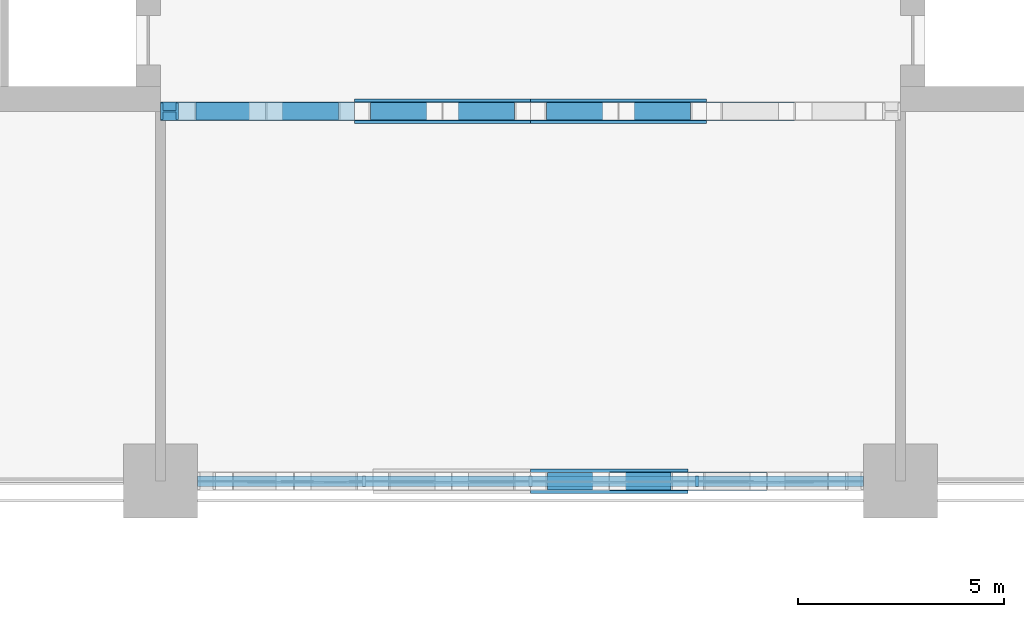
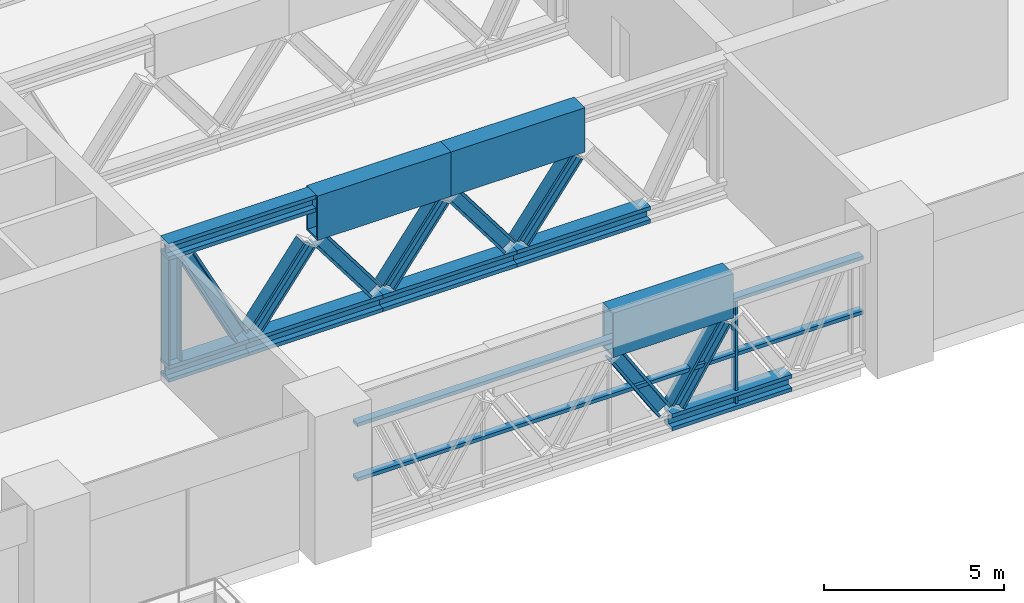
# One storey, part 3 of 35: 21 members, 1 element without a shape of its own.
"""IFC4 building model written with IfcOpenShell, lengths in metres."""

from ifc_helpers import new_model, si_unit, direction, frame, origin, origin_2d, place, context, subcontext, project, spatial, rectangle, hollow_rectangle, i_section, extrude, material, material_profile, profile_set, type_object, element, aggregate, save


model = new_model("IFC4")

# Units and contexts
model_context = context("Model", 3, precision=1e-05, world=origin(), true_north=direction((0.0, 1.0)))
body_context = subcontext(model_context, "Body", "Model", "MODEL_VIEW")
ifc_project = project(units=[si_unit("LENGTHUNIT", "METRE"), si_unit("AREAUNIT", "SQUARE_METRE"), si_unit("VOLUMEUNIT", "CUBIC_METRE"), si_unit("PLANEANGLEUNIT", "RADIAN"), si_unit("MASSUNIT", "GRAM", prefix="KILO")], contexts=[model_context])

# Site, building, storey
site_placement = place(None, origin())
site = spatial("IfcSite", under=ifc_project, at=site_placement, CompositionType="ELEMENT")
building_placement = place(site_placement, origin())
building = spatial("IfcBuilding", under=site, at=building_placement, Name="Tessera Arch", CompositionType="ELEMENT")
storey_placement = place(building_placement, frame((0.0, 0.0, 26.0)))
storey = spatial("IfcBuildingStorey", under=building, at=storey_placement, Name="L04", CompositionType="ELEMENT", Elevation=26.0)

# Curtain wall, members
ifc_material_1 = material(Name="CW4 curtain wall")
curtain_wall_type = type_object("IfcCurtainWallType", Name="CW4 curtain wall", PredefinedType="NOTDEFINED", material=ifc_material_1)
curtain_wall_placement = place(storey_placement, origin())
curtain_wall = element("IfcCurtainWall", 1, at=curtain_wall_placement, inside=storey, type_object=curtain_wall_type, Name="CW4 curtain wall S0.0/1 L04", PredefinedType="NOTDEFINED")
ifc_material_2 = material(Name="Anodised aluminium pale metal", Category="aluminium")
ifc_material_profile_1 = material_profile(ifc_material_2, rectangle(XDim=0.25, YDim=0.080078125, at=origin_2d()), Name="AL 80x250")
ifc_profile_set_1 = profile_set([ifc_material_profile_1], Name="Anodised aluminium pale metal")
member_type_1 = type_object("IfcMemberType", Name="CW4 mullion", PredefinedType="MULLION", material=ifc_profile_set_1)
member_1_placement = place(storey_placement, frame((31.050048828125, 0.0, 0.0), z_axis=(0.0, 0.0, 1.0), x_axis=(0.0, 1.0, 0.0)))
member_1 = element("IfcMember", 2, at=member_1_placement, type_object=member_type_1, Name="CW4 mullion S0.0/1 3", PredefinedType="MULLION", context=body_context, shape_type="SweptSolid", body=[
    extrude(rectangle(XDim=0.25, YDim=0.080078125, at=origin_2d()), origin(), (0.0, 0.0, 1.0), 3.580078125),
])
ifc_material_3 = material(Name="Anodised aluminium pale metal", Category="aluminium")
ifc_material_profile_2 = material_profile(ifc_material_3, rectangle(XDim=0.25, YDim=0.1201171875, at=origin_2d()), Name="AL 250x120")
ifc_profile_set_2 = profile_set([ifc_material_profile_2], Name="Anodised aluminium pale metal")
member_type_2 = type_object("IfcMemberType", Name="CW4 transom", PredefinedType="USERDEFINED", material=ifc_profile_set_2)
member_2_placement = place(storey_placement, frame((18.89990234375, 0.0, 3.639892578125), z_axis=(1.0, 0.0, 0.0), x_axis=(0.0, 1.0, 0.0)))
member_2 = element("IfcMember", 3, at=member_2_placement, type_object=member_type_2, Name="CW4 transom S0.0/1 1.1", ObjectType="TRANSOM", PredefinedType="USERDEFINED", context=body_context, shape_type="SweptSolid", body=[
    extrude(rectangle(XDim=0.25, YDim=0.1201171875, at=origin_2d()), origin(), (0.0, 0.0, 1.0), 16.2001953125),
])
member_3_placement = place(storey_placement, frame((18.89990234375, 0.0, 1.7900390625), z_axis=(1.0, 0.0, 0.0), x_axis=(0.0, 1.0, 0.0)))
member_3 = element("IfcMember", 4, at=member_3_placement, type_object=member_type_2, Name="CW4 transom S0.0/1 2.1", ObjectType="TRANSOM", PredefinedType="USERDEFINED", context=body_context, shape_type="SweptSolid", body=[
    extrude(rectangle(XDim=0.25, YDim=0.1201171875, at=origin_2d()), origin(), (0.0, 0.0, 1.0), 16.2001953125),
])
aggregate(curtain_wall, [member_1, member_2, member_3])

# Members
ifc_material_4 = material(Name="Steel A572 Gr50", Category="steel")
ifc_material_profile_3 = material_profile(ifc_material_4, hollow_rectangle(XDim=0.60009765625, YDim=1.5, WallThickness=0.06005859375, at=origin_2d()), Name="BOX 600x1500x60")
ifc_profile_set_3 = profile_set([ifc_material_profile_3], Name="Steel A572 Gr50")
member_type_3 = type_object("IfcMemberType", Name="Transfer truss node girder BOX 600x1500x60", PredefinedType="CHORD", material=ifc_profile_set_3)
member_4_placement = place(storey_placement, frame((27.0, 0.0, 3.949951171875), z_axis=(1.0, 0.0, 0.0), x_axis=(0.0, 1.0, 0.0)))
element("IfcMember", 5, at=member_4_placement, inside=storey, type_object=member_type_3, Name="Transfer truss node girder 3", PredefinedType="CHORD", context=body_context, shape_type="SweptSolid", body=[
    extrude(hollow_rectangle(XDim=0.60009765625, YDim=1.5, WallThickness=0.06005859375, at=origin_2d()), origin(), (0.0, 0.0, 1.0), 3.832763671875),
])
for number, where, z_axis, x_axis, name in (
    (6, (22.71728515625, 9.0, 3.949951171875), (1.0, 0.0, 0.0), (0.0, 1.0, 0.0), "Transfer truss node girder 2"),
    (7, (27.0, 9.0, 3.949951171875), (1.0, 0.0, 0.0), (0.0, 1.0, 0.0), "Transfer truss node girder 3"),
):
    element("IfcMember", number, at=place(storey_placement, frame(where, z_axis=z_axis, x_axis=x_axis)), inside=storey, type_object=member_type_3, Name=name, PredefinedType="CHORD", context=body_context, shape_type="SweptSolid", body=[
        extrude(hollow_rectangle(XDim=0.60009765625, YDim=1.5, WallThickness=0.06005859375, at=origin_2d()), origin(), (0.0, 0.0, 1.0), 4.28271484375),
    ])
ifc_material_5 = material(Name="Steel A992 Gr50", Category="steel")
ifc_material_profile_4 = material_profile(ifc_material_5, i_section(OverallWidth=0.45458984375, OverallDepth=0.56884765625, WebThickness=0.077880859375, FlangeThickness=0.124755859375, at=origin_2d()), Name="W14x730")
ifc_profile_set_4 = profile_set([ifc_material_profile_4], Name="Steel A992 Gr50")
member_type_4 = type_object("IfcMemberType", Name="Truss chord W14x730", PredefinedType="CHORD", material=ifc_profile_set_4)
member_5_placement = place(storey_placement, frame((28.91650390625, 0.0, 0.284423828125), z_axis=(1.0, 0.0, 0.0), x_axis=(0.0, 1.0, 0.0)))
element("IfcMember", 8, at=member_5_placement, inside=storey, type_object=member_type_4, Name="Transfer truss bottom chord 4", PredefinedType="CHORD", context=body_context, shape_type="SweptSolid", body=[
    extrude(i_section(OverallWidth=0.45458984375, OverallDepth=0.56884765625, WebThickness=0.077880859375, FlangeThickness=0.124755859375, at=origin_2d()), origin(), (0.0, 0.0, 1.0), 3.832763671875),
])
member_6_placement = place(storey_placement, frame((18.0, 9.0, 4.41552734375), z_axis=(1.0, 0.0, 0.0), x_axis=(0.0, 1.0, 0.0)))
element("IfcMember", 9, at=member_6_placement, inside=storey, type_object=member_type_4, Name="Transfer truss top chord 1", PredefinedType="CHORD", context=body_context, shape_type="SweptSolid", body=[
    extrude(i_section(OverallWidth=0.45458984375, OverallDepth=0.56884765625, WebThickness=0.077880859375, FlangeThickness=0.124755859375, at=origin_2d()), origin(), (0.0, 0.0, 1.0), 4.71728515625),
])
member_7_placement = place(storey_placement, frame((18.0, 9.0, 0.284423828125), z_axis=(1.0, 0.0, 0.0), x_axis=(0.0, 1.0, 0.0)))
element("IfcMember", 10, at=member_7_placement, inside=storey, type_object=member_type_4, Name="Transfer truss bottom chord 1", PredefinedType="CHORD", context=body_context, shape_type="SweptSolid", body=[
    extrude(i_section(OverallWidth=0.45458984375, OverallDepth=0.56884765625, WebThickness=0.077880859375, FlangeThickness=0.124755859375, at=origin_2d()), origin(), (0.0, 0.0, 1.0), 2.57568359375),
])
member_8_placement = place(storey_placement, frame((20.57568359375, 9.0, 0.284423828125), z_axis=(1.0, 0.0, 0.0), x_axis=(0.0, 1.0, 0.0)))
element("IfcMember", 11, at=member_8_placement, inside=storey, type_object=member_type_4, Name="Transfer truss bottom chord 2", PredefinedType="CHORD", context=body_context, shape_type="SweptSolid", body=[
    extrude(i_section(OverallWidth=0.45458984375, OverallDepth=0.56884765625, WebThickness=0.077880859375, FlangeThickness=0.124755859375, at=origin_2d()), origin(), (0.0, 0.0, 1.0), 4.282958984375),
])
member_9_placement = place(storey_placement, frame((24.858642578125, 9.0, 0.284423828125), z_axis=(1.0, 0.0, 0.0), x_axis=(0.0, 1.0, 0.0)))
element("IfcMember", 12, at=member_9_placement, inside=storey, type_object=member_type_4, Name="Transfer truss bottom chord 3", PredefinedType="CHORD", context=body_context, shape_type="SweptSolid", body=[
    extrude(i_section(OverallWidth=0.45458984375, OverallDepth=0.56884765625, WebThickness=0.077880859375, FlangeThickness=0.124755859375, at=origin_2d()), origin(), (0.0, 0.0, 1.0), 4.28271484375),
])
member_10_placement = place(storey_placement, frame((29.141357421875, 9.0, 0.284423828125), z_axis=(1.0, 0.0, 0.0), x_axis=(0.0, 1.0, 0.0)))
element("IfcMember", 13, at=member_10_placement, inside=storey, type_object=member_type_4, Name="Transfer truss bottom chord 4", PredefinedType="CHORD", context=body_context, shape_type="SweptSolid", body=[
    extrude(i_section(OverallWidth=0.45458984375, OverallDepth=0.56884765625, WebThickness=0.077880859375, FlangeThickness=0.124755859375, at=origin_2d()), origin(), (0.0, 0.0, 1.0), 4.282958984375),
])
ifc_material_6 = material(Name="Steel A992 Gr50", Category="steel")
ifc_material_profile_5 = material_profile(ifc_material_6, i_section(OverallWidth=0.424072265625, OverallDepth=0.47412109375, WebThickness=0.047607421875, FlangeThickness=0.0771484375, at=origin_2d()), Name="W14x426")
ifc_profile_set_5 = profile_set([ifc_material_profile_5], Name="Steel A992 Gr50")
member_type_5 = type_object("IfcMemberType", Name="Truss diagonal W14x426", PredefinedType="BRACE", material=ifc_profile_set_5)
for number, where, z_axis, x_axis, name in (
    (14, (27.20947265625, 0.0, 3.05712890625), (0.538089832254, 0.0, -0.842887496897), (0.0, 1.0, 0.0), "Transfer truss diagonal 5"),
    (15, (29.1259765625, 0.0, 0.711669921875), (0.538089832254, 0.0, 0.842887496897), (0.0, 1.0, 0.0), "Transfer truss diagonal 6"),
):
    element("IfcMember", number, at=place(storey_placement, frame(where, z_axis=z_axis, x_axis=x_axis)), inside=storey, type_object=member_type_5, Name=name, PredefinedType="BRACE", context=body_context, shape_type="SweptSolid", body=[
        extrude(i_section(OverallWidth=0.424072265625, OverallDepth=0.47412109375, WebThickness=0.047607421875, FlangeThickness=0.0771484375, at=origin_2d()), origin(), (0.0, 0.0, 1.0), 2.78271484375),
    ])
member_11_placement = place(storey_placement, frame((18.653564453125, 9.0, 4.006591796875), z_axis=(0.457173271573, 0.0, -0.889377647436), x_axis=(0.0, 1.0, 0.0)))
element("IfcMember", 16, at=member_11_placement, inside=storey, type_object=member_type_5, Name="Transfer truss diagonal 1", PredefinedType="BRACE", context=body_context, shape_type="SweptSolid", body=[
    extrude(i_section(OverallWidth=0.424072265625, OverallDepth=0.47412109375, WebThickness=0.047607421875, FlangeThickness=0.0771484375, at=origin_2d()), origin(), (0.0, 0.0, 1.0), 3.725341796875),
])
for number, where, z_axis, x_axis, name in (
    (17, (20.776123046875, 9.0, 0.725830078125), (0.600592846889, 0.0, 0.799555021412), (0.0, 1.0, 0.0), "Transfer truss diagonal 2"),
    (18, (22.91748046875, 9.0, 3.043212890625), (0.600592846889, 0.0, -0.799555021412), (0.0, 1.0, 0.0), "Transfer truss diagonal 3"),
):
    element("IfcMember", number, at=place(storey_placement, frame(where, z_axis=z_axis, x_axis=x_axis)), inside=storey, type_object=member_type_5, Name=name, PredefinedType="BRACE", context=body_context, shape_type="SweptSolid", body=[
        extrude(i_section(OverallWidth=0.424072265625, OverallDepth=0.47412109375, WebThickness=0.047607421875, FlangeThickness=0.0771484375, at=origin_2d()), origin(), (0.0, 0.0, 1.0), 2.8984375),
    ])
for number, where, z_axis, x_axis, name in (
    (19, (25.05908203125, 9.0, 0.725830078125), (0.6005389926, 0.0, 0.799595471702), (0.0, 1.0, 0.0), "Transfer truss diagonal 4"),
    (20, (27.200439453125, 9.0, 3.043212890625), (0.6005389926, 0.0, -0.799595471702), (0.0, 1.0, 0.0), "Transfer truss diagonal 5"),
):
    element("IfcMember", number, at=place(storey_placement, frame(where, z_axis=z_axis, x_axis=x_axis)), inside=storey, type_object=member_type_5, Name=name, PredefinedType="BRACE", context=body_context, shape_type="SweptSolid", body=[
        extrude(i_section(OverallWidth=0.424072265625, OverallDepth=0.47412109375, WebThickness=0.047607421875, FlangeThickness=0.0771484375, at=origin_2d()), origin(), (0.0, 0.0, 1.0), 2.898193359375),
    ])
member_12_placement = place(storey_placement, frame((29.341796875, 9.0, 0.725830078125), z_axis=(0.600592846889, 0.0, 0.799555021412), x_axis=(0.0, 1.0, 0.0)))
element("IfcMember", 21, at=member_12_placement, inside=storey, type_object=member_type_5, Name="Transfer truss diagonal 6", PredefinedType="BRACE", context=body_context, shape_type="SweptSolid", body=[
    extrude(i_section(OverallWidth=0.424072265625, OverallDepth=0.47412109375, WebThickness=0.047607421875, FlangeThickness=0.0771484375, at=origin_2d()), origin(), (0.0, 0.0, 1.0), 2.8984375),
])
ifc_material_7 = material(Name="Steel A992 Gr50", Category="steel")
ifc_material_profile_6 = material_profile(ifc_material_7, i_section(OverallWidth=0.411376953125, OverallDepth=0.434326171875, WebThickness=0.035888671875, FlangeThickness=0.057373046875, at=origin_2d()), Name="W14x311")
ifc_profile_set_6 = profile_set([ifc_material_profile_6], Name="Steel A992 Gr50")
member_type_6 = type_object("IfcMemberType", Name="Truss post W14x311", PredefinedType="POST", material=ifc_profile_set_6)
member_13_placement = place(storey_placement, frame((18.21728515625, 9.0, 0.56884765625), z_axis=(0.0, 0.0, 1.0), x_axis=(0.0, 1.0, 0.0)))
element("IfcMember", 22, at=member_13_placement, inside=storey, type_object=member_type_6, Name="Transfer truss end post 1", PredefinedType="POST", context=body_context, shape_type="SweptSolid", body=[
    extrude(i_section(OverallWidth=0.411376953125, OverallDepth=0.434326171875, WebThickness=0.035888671875, FlangeThickness=0.057373046875, at=origin_2d()), origin(), (0.0, 0.0, 1.0), 3.562255859375),
])

save(model, "model.ifc")
